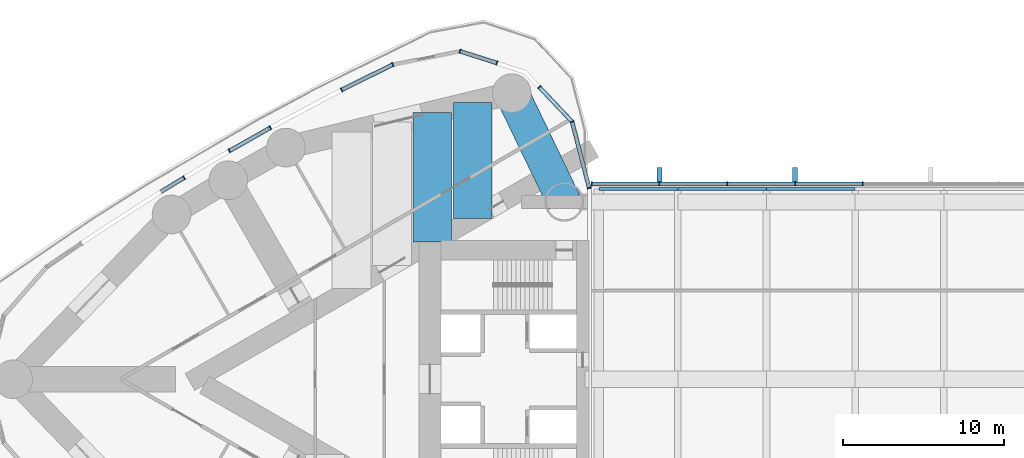
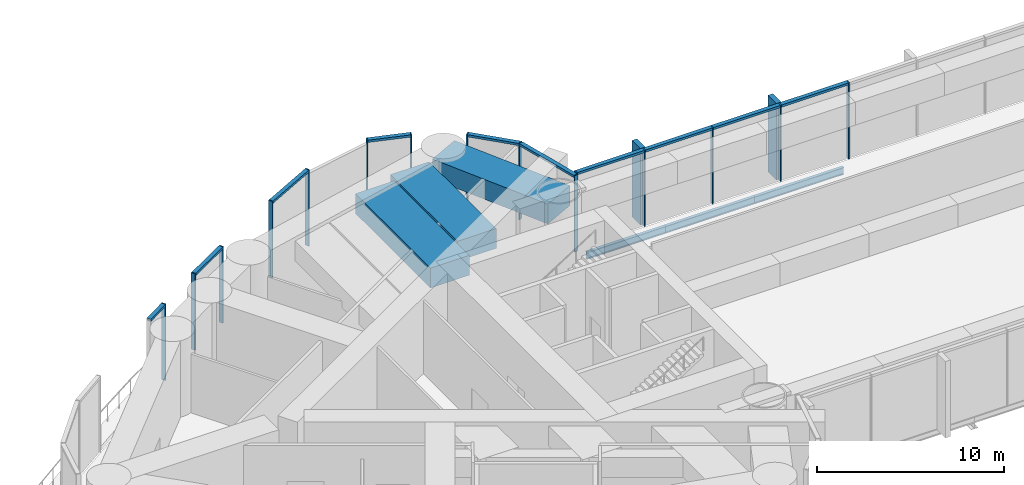
# One storey, part 5 of 22: 27 members, 6 beams, 6 elements without a shape of their own.
"""IFC4 building model written with IfcOpenShell, lengths in metres."""

from ifc_helpers import new_model, si_unit, direction, frame, origin, origin_2d, place, context, subcontext, project, spatial, rectangle, i_section, extrude, material, material_profile, profile_set, type_object, element, aggregate, save


model = new_model("IFC4")

# Units and contexts
model_context = context("Model", 3, precision=1e-05, world=origin(), true_north=direction((0.0, 1.0)))
body_context = subcontext(model_context, "Body", "Model", "MODEL_VIEW")
ifc_project = project(units=[si_unit("LENGTHUNIT", "METRE"), si_unit("AREAUNIT", "SQUARE_METRE"), si_unit("VOLUMEUNIT", "CUBIC_METRE"), si_unit("PLANEANGLEUNIT", "RADIAN"), si_unit("MASSUNIT", "GRAM", prefix="KILO")], contexts=[model_context])

# Site, building, storey
site_placement = place(None, origin())
site = spatial("IfcSite", under=ifc_project, at=site_placement, CompositionType="ELEMENT")
building_placement = place(site_placement, origin())
building = spatial("IfcBuilding", under=site, at=building_placement, Name="Lancet Gate Hotel", CompositionType="ELEMENT")
storey_placement = place(building_placement, frame((0.0, 0.0, 210.300048828125)))
storey = spatial("IfcBuildingStorey", under=building, at=storey_placement, Name="L56", CompositionType="ELEMENT", Elevation=210.300048828125)

# Curtain wall, members
ifc_material_1 = material(Name="Aluminium curtain wall", Category="aluminium")
curtain_wall_type = type_object("IfcCurtainWallType", Name="Refuge storey louvred curtain wall", PredefinedType="USERDEFINED", material=ifc_material_1)
curtain_wall_1_placement = place(storey_placement, origin())
curtain_wall_1 = element("IfcCurtainWall", 1, at=curtain_wall_1_placement, inside=storey, type_object=curtain_wall_type, Name="T1 L56 curtain wall 1", ObjectType="LANTERN GLAZING", PredefinedType="USERDEFINED")
ifc_material_2 = material(Name="Aluminium mullion", Category="aluminium")
ifc_material_profile_1 = material_profile(ifc_material_2, rectangle(XDim=0.06494140625, YDim=0.25, at=origin_2d()), Name="MULLION 65x250")
ifc_profile_set_1 = profile_set([ifc_material_profile_1], Name="Aluminium mullion")
member_type_1 = type_object("IfcMemberType", Name="Aluminium mullion 65x250", PredefinedType="MULLION", material=ifc_profile_set_1)
member_1_placement = place(storey_placement, frame((-27.5, 11.861572265625, 0.0), z_axis=(0.0, 0.0, 1.0), x_axis=(-0.249725827997, 0.968316586056, 0.0)))
member_1 = element("IfcMember", 2, at=member_1_placement, type_object=member_type_1, Name="T1 L56 curtain wall 1 mullion 1", PredefinedType="MULLION", context=body_context, shape_type="SweptSolid", body=[
    extrude(rectangle(XDim=0.06494140625, YDim=0.25, at=origin_2d()), origin(), (0.0, 0.0, 1.0), 5.0),
])
member_2_placement = place(storey_placement, frame((-28.56005859375, 15.97216796875, 0.0), z_axis=(0.0, 0.0, 1.0), x_axis=(-0.44287478238, 0.896583474715, 0.0)))
member_2 = element("IfcMember", 3, at=member_2_placement, type_object=member_type_1, Name="T1 L56 curtain wall 1 mullion 2", PredefinedType="MULLION", context=body_context, shape_type="SweptSolid", body=[
    extrude(rectangle(XDim=0.06494140625, YDim=0.25, at=origin_2d()), origin(), (0.0, 0.0, 1.0), 5.0),
])
member_3_placement = place(storey_placement, frame((-30.593017578125, 18.123291015625, 0.0), z_axis=(0.0, 0.0, 1.0), x_axis=(-0.686882887577, 0.726768118972, 0.0)))
member_3 = element("IfcMember", 4, at=member_3_placement, type_object=member_type_1, Name="T1 L56 curtain wall 1 mullion 3", PredefinedType="MULLION", context=body_context, shape_type="SweptSolid", body=[
    extrude(rectangle(XDim=0.06494140625, YDim=0.25, at=origin_2d()), origin(), (0.0, 0.0, 1.0), 5.0),
])

curtain_wall_2_placement = place(storey_placement, origin())
curtain_wall_2 = element("IfcCurtainWall", 5, at=curtain_wall_2_placement, inside=storey, type_object=curtain_wall_type, Name="T1 L56 curtain wall 2", ObjectType="LANTERN GLAZING", PredefinedType="USERDEFINED")
member_4_placement = place(storey_placement, frame((-33.222900390625, 19.61474609375, 0.0), z_axis=(0.0, 0.0, 1.0), x_axis=(-0.952695666833, 0.303925922549, 0.0)))
member_4 = element("IfcMember", 6, at=member_4_placement, type_object=member_type_1, Name="T1 L56 curtain wall 2 mullion 1", PredefinedType="MULLION", context=body_context, shape_type="SweptSolid", body=[
    extrude(rectangle(XDim=0.06494140625, YDim=0.25, at=origin_2d()), origin(), (0.0, 0.0, 1.0), 5.0),
])
member_5_placement = place(storey_placement, frame((-35.520751953125, 20.347900390625, 0.0), z_axis=(0.0, 0.0, 1.0), x_axis=(-0.952695666833, 0.303925922549, 0.0)))
member_5 = element("IfcMember", 7, at=member_5_placement, type_object=member_type_1, Name="T1 L56 curtain wall 2 mullion 2", PredefinedType="MULLION", context=body_context, shape_type="SweptSolid", body=[
    extrude(rectangle(XDim=0.06494140625, YDim=0.25, at=origin_2d()), origin(), (0.0, 0.0, 1.0), 5.0),
])

curtain_wall_3_placement = place(storey_placement, origin())
curtain_wall_3 = element("IfcCurtainWall", 8, at=curtain_wall_3_placement, inside=storey, type_object=curtain_wall_type, Name="T1 L56 curtain wall 3", ObjectType="LANTERN GLAZING", PredefinedType="USERDEFINED")
member_6_placement = place(storey_placement, frame((-39.684814453125, 19.521240234375, 0.0), z_axis=(0.0, 0.0, 1.0), x_axis=(-0.895234030262, -0.445596264639, 0.0)))
member_6 = element("IfcMember", 9, at=member_6_placement, type_object=member_type_1, Name="T1 L56 curtain wall 3 mullion 1", PredefinedType="MULLION", context=body_context, shape_type="SweptSolid", body=[
    extrude(rectangle(XDim=0.06494140625, YDim=0.25, at=origin_2d()), origin(), (0.0, 0.0, 1.0), 5.0),
])
member_7_placement = place(storey_placement, frame((-42.859619140625, 17.94091796875, 0.0), z_axis=(0.0, 0.0, 1.0), x_axis=(-0.895234030262, -0.445596264639, 0.0)))
member_7 = element("IfcMember", 10, at=member_7_placement, type_object=member_type_1, Name="T1 L56 curtain wall 3 mullion 2", PredefinedType="MULLION", context=body_context, shape_type="SweptSolid", body=[
    extrude(rectangle(XDim=0.06494140625, YDim=0.25, at=origin_2d()), origin(), (0.0, 0.0, 1.0), 5.0),
])

curtain_wall_4_placement = place(storey_placement, origin())
curtain_wall_4 = element("IfcCurtainWall", 11, at=curtain_wall_4_placement, inside=storey, type_object=curtain_wall_type, Name="T1 L56 curtain wall 4", ObjectType="LANTERN GLAZING", PredefinedType="USERDEFINED")
member_8_placement = place(storey_placement, frame((-47.27392578125, 15.6044921875, 0.0), z_axis=(0.0, 0.0, 1.0), x_axis=(-0.869958082404, -0.493125678565, 0.0)))
member_8 = element("IfcMember", 12, at=member_8_placement, type_object=member_type_1, Name="T1 L56 curtain wall 4 mullion 1", PredefinedType="MULLION", context=body_context, shape_type="SweptSolid", body=[
    extrude(rectangle(XDim=0.06494140625, YDim=0.25, at=origin_2d()), origin(), (0.0, 0.0, 1.0), 5.0),
])
member_9_placement = place(storey_placement, frame((-49.82421875, 14.158935546875, 0.0), z_axis=(0.0, 0.0, 1.0), x_axis=(-0.869958082404, -0.493125678565, 0.0)))
member_9 = element("IfcMember", 13, at=member_9_placement, type_object=member_type_1, Name="T1 L56 curtain wall 4 mullion 2", PredefinedType="MULLION", context=body_context, shape_type="SweptSolid", body=[
    extrude(rectangle(XDim=0.06494140625, YDim=0.25, at=origin_2d()), origin(), (0.0, 0.0, 1.0), 5.0),
])

# Curtain wall, member
curtain_wall_5_placement = place(storey_placement, origin())
curtain_wall_5 = element("IfcCurtainWall", 14, at=curtain_wall_5_placement, inside=storey, type_object=curtain_wall_type, Name="T1 L56 curtain wall 5", ObjectType="LANTERN GLAZING", PredefinedType="USERDEFINED")
member_10_placement = place(storey_placement, frame((-52.623291015625, 12.501708984375, 0.0), z_axis=(0.0, 0.0, 1.0), x_axis=(-0.85636984205, -0.516362947574, 0.0)))
member_10 = element("IfcMember", 15, at=member_10_placement, type_object=member_type_1, Name="T1 L56 curtain wall 5 mullion 1", PredefinedType="MULLION", context=body_context, shape_type="SweptSolid", body=[
    extrude(rectangle(XDim=0.06494140625, YDim=0.25, at=origin_2d()), origin(), (0.0, 0.0, 1.0), 5.0),
])

# Curtain wall, members
curtain_wall_6_placement = place(storey_placement, origin())
curtain_wall_6 = element("IfcCurtainWall", 16, at=curtain_wall_6_placement, inside=storey, type_object=curtain_wall_type, Name="Bridge block L56 curtain wall N", ObjectType="LANTERN GLAZING", PredefinedType="USERDEFINED")
member_11_placement = place(storey_placement, frame((-10.519287109375, 12.1201171875, 0.0), z_axis=(0.0, 0.0, 1.0), x_axis=(-1.0, 0.0, 0.0)))
member_11 = element("IfcMember", 17, at=member_11_placement, type_object=member_type_1, Name="Bridge block L56 curtain wall N mullion 10", PredefinedType="MULLION", context=body_context, shape_type="SweptSolid", body=[
    extrude(rectangle(XDim=0.06494140625, YDim=0.25, at=origin_2d()), origin(), (0.0, 0.0, 1.0), 5.0),
])
member_12_placement = place(storey_placement, frame((-14.726806640625, 12.1201171875, 0.0), z_axis=(0.0, 0.0, 1.0), x_axis=(-1.0, 0.0, 0.0)))
member_12 = element("IfcMember", 18, at=member_12_placement, type_object=member_type_1, Name="Bridge block L56 curtain wall N mullion 11", PredefinedType="MULLION", context=body_context, shape_type="SweptSolid", body=[
    extrude(rectangle(XDim=0.06494140625, YDim=0.25, at=origin_2d()), origin(), (0.0, 0.0, 1.0), 5.0),
])
member_13_placement = place(storey_placement, frame((-18.9345703125, 12.1201171875, 0.0), z_axis=(0.0, 0.0, 1.0), x_axis=(-1.0, 0.0, 0.0)))
member_13 = element("IfcMember", 19, at=member_13_placement, type_object=member_type_1, Name="Bridge block L56 curtain wall N mullion 12", PredefinedType="MULLION", context=body_context, shape_type="SweptSolid", body=[
    extrude(rectangle(XDim=0.06494140625, YDim=0.25, at=origin_2d()), origin(), (0.0, 0.0, 1.0), 5.0),
])
member_14_placement = place(storey_placement, frame((-23.142333984375, 12.1201171875, 0.0), z_axis=(0.0, 0.0, 1.0), x_axis=(-1.0, 0.0, 0.0)))
member_14 = element("IfcMember", 20, at=member_14_placement, type_object=member_type_1, Name="Bridge block L56 curtain wall N mullion 13", PredefinedType="MULLION", context=body_context, shape_type="SweptSolid", body=[
    extrude(rectangle(XDim=0.06494140625, YDim=0.25, at=origin_2d()), origin(), (0.0, 0.0, 1.0), 5.0),
])
member_15_placement = place(storey_placement, frame((-27.35009765625, 12.1201171875, 0.0), z_axis=(0.0, 0.0, 1.0), x_axis=(-1.0, 0.0, 0.0)))
member_15 = element("IfcMember", 21, at=member_15_placement, type_object=member_type_1, Name="Bridge block L56 curtain wall N mullion 14", PredefinedType="MULLION", context=body_context, shape_type="SweptSolid", body=[
    extrude(rectangle(XDim=0.06494140625, YDim=0.25, at=origin_2d()), origin(), (0.0, 0.0, 1.0), 5.0),
])

# Member
ifc_material_3 = material(Name="Aluminium transom", Category="aluminium")
ifc_material_profile_2 = material_profile(ifc_material_3, rectangle(XDim=0.25, YDim=0.14990234375, at=origin_2d()), Name="TRANSOM 250x150")
ifc_profile_set_2 = profile_set([ifc_material_profile_2], Name="Aluminium transom")
member_type_2 = type_object("IfcMemberType", Name="Aluminium transom 250x150", PredefinedType="USERDEFINED", material=ifc_profile_set_2)
member_16_placement = place(storey_placement, frame((-27.508056640625, 11.892822265625, 4.925048828125), z_axis=(-0.249715522936, 0.968319243641, 0.0), x_axis=(-0.968319243641, -0.249715522936, 0.0)))
member_16 = element("IfcMember", 22, at=member_16_placement, type_object=member_type_2, Name="T1 L56 curtain wall 1 transom 1", ObjectType="TRANSOM", PredefinedType="USERDEFINED", context=body_context, shape_type="SweptSolid", body=[
    extrude(rectangle(XDim=0.25, YDim=0.14990234375, at=origin_2d()), origin(), (0.0, 0.0, 1.0), 4.180419921875),
])

member_17_placement = place(storey_placement, frame((-28.58251953125, 15.995849609375, 4.925048828125), z_axis=(-0.686878579541, 0.726772190558, 0.0), x_axis=(-0.726772190558, -0.686878579541, 0.0)))
member_17 = element("IfcMember", 23, at=member_17_placement, type_object=member_type_2, Name="T1 L56 curtain wall 1 transom 2", ObjectType="TRANSOM", PredefinedType="USERDEFINED", context=body_context, shape_type="SweptSolid", body=[
    extrude(rectangle(XDim=0.25, YDim=0.14990234375, at=origin_2d()), origin(), (0.0, 0.0, 1.0), 2.894775390625),
])

aggregate(curtain_wall_1, [member_1, member_2, member_3, member_16, member_17])

member_18_placement = place(storey_placement, frame((-33.25390625, 19.624755859375, 4.925048828125), z_axis=(-0.952682287668, 0.303967858109, 0.0), x_axis=(-0.303967858109, -0.952682287668, 0.0)))
member_18 = element("IfcMember", 24, at=member_18_placement, type_object=member_type_2, Name="T1 L56 curtain wall 2 transom 1", ObjectType="TRANSOM", PredefinedType="USERDEFINED", context=body_context, shape_type="SweptSolid", body=[
    extrude(rectangle(XDim=0.25, YDim=0.14990234375, at=origin_2d()), origin(), (0.0, 0.0, 1.0), 2.346923828125),
])

aggregate(curtain_wall_2, [member_4, member_5, member_18])

member_19_placement = place(storey_placement, frame((-39.7138671875, 19.5068359375, 4.925048828125), z_axis=(-0.895239182605, -0.445585913072, 0.0), x_axis=(0.445585913072, -0.895239182605, 0.0)))
member_19 = element("IfcMember", 25, at=member_19_placement, type_object=member_type_2, Name="T1 L56 curtain wall 3 transom 1", ObjectType="TRANSOM", PredefinedType="USERDEFINED", context=body_context, shape_type="SweptSolid", body=[
    extrude(rectangle(XDim=0.25, YDim=0.14990234375, at=origin_2d()), origin(), (0.0, 0.0, 1.0), 3.4814453125),
])

aggregate(curtain_wall_3, [member_6, member_7, member_19])

member_20_placement = place(storey_placement, frame((-47.30224609375, 15.58837890625, 4.925048828125), z_axis=(-0.869946674154, -0.493145804127, 0.0), x_axis=(0.493145804127, -0.869946674154, 0.0)))
member_20 = element("IfcMember", 26, at=member_20_placement, type_object=member_type_2, Name="T1 L56 curtain wall 4 transom 1", ObjectType="TRANSOM", PredefinedType="USERDEFINED", context=body_context, shape_type="SweptSolid", body=[
    extrude(rectangle(XDim=0.25, YDim=0.14990234375, at=origin_2d()), origin(), (0.0, 0.0, 1.0), 2.866455078125),
])

aggregate(curtain_wall_4, [member_8, member_9, member_20])

member_21_placement = place(storey_placement, frame((-52.651123046875, 12.48486328125, 4.925048828125), z_axis=(-0.85641729295, -0.516284243743, 0.0), x_axis=(0.516284243743, -0.85641729295, 0.0)))
member_21 = element("IfcMember", 27, at=member_21_placement, type_object=member_type_2, Name="T1 L56 curtain wall 5 transom 1", ObjectType="TRANSOM", PredefinedType="USERDEFINED", context=body_context, shape_type="SweptSolid", body=[
    extrude(rectangle(XDim=0.25, YDim=0.14990234375, at=origin_2d()), origin(), (0.0, 0.0, 1.0), 1.60498046875),
])

aggregate(curtain_wall_5, [member_10, member_21])

member_22_placement = place(storey_placement, frame((-10.5517578125, 12.1201171875, 4.925048828125), z_axis=(-1.0, 0.0, 0.0), x_axis=(0.0, -1.0, 0.0)))
member_22 = element("IfcMember", 28, at=member_22_placement, type_object=member_type_2, Name="Bridge block L56 curtain wall N transom 10", ObjectType="TRANSOM", PredefinedType="USERDEFINED", context=body_context, shape_type="SweptSolid", body=[
    extrude(rectangle(XDim=0.25, YDim=0.14990234375, at=origin_2d()), origin(), (0.0, 0.0, 1.0), 4.142578125),
])

member_23_placement = place(storey_placement, frame((-14.759521484375, 12.1201171875, 4.925048828125), z_axis=(-1.0, 0.0, 0.0), x_axis=(0.0, -1.0, 0.0)))
member_23 = element("IfcMember", 29, at=member_23_placement, type_object=member_type_2, Name="Bridge block L56 curtain wall N transom 11", ObjectType="TRANSOM", PredefinedType="USERDEFINED", context=body_context, shape_type="SweptSolid", body=[
    extrude(rectangle(XDim=0.25, YDim=0.14990234375, at=origin_2d()), origin(), (0.0, 0.0, 1.0), 4.142578125),
])

member_24_placement = place(storey_placement, frame((-18.967041015625, 12.1201171875, 4.925048828125), z_axis=(-1.0, 0.0, 0.0), x_axis=(0.0, -1.0, 0.0)))
member_24 = element("IfcMember", 30, at=member_24_placement, type_object=member_type_2, Name="Bridge block L56 curtain wall N transom 12", ObjectType="TRANSOM", PredefinedType="USERDEFINED", context=body_context, shape_type="SweptSolid", body=[
    extrude(rectangle(XDim=0.25, YDim=0.14990234375, at=origin_2d()), origin(), (0.0, 0.0, 1.0), 4.142822265625),
])

member_25_placement = place(storey_placement, frame((-23.1748046875, 12.1201171875, 4.925048828125), z_axis=(-1.0, 0.0, 0.0), x_axis=(0.0, -1.0, 0.0)))
member_25 = element("IfcMember", 31, at=member_25_placement, type_object=member_type_2, Name="Bridge block L56 curtain wall N transom 13", ObjectType="TRANSOM", PredefinedType="USERDEFINED", context=body_context, shape_type="SweptSolid", body=[
    extrude(rectangle(XDim=0.25, YDim=0.14990234375, at=origin_2d()), origin(), (0.0, 0.0, 1.0), 4.142578125),
])

# Beams
ifc_material_4 = material(Name="Steel S355", Category="steel")
ifc_material_profile_3 = material_profile(ifc_material_4, i_section(OverallWidth=0.19140625, OverallDepth=0.4599609375, WebThickness=0.010009765625, FlangeThickness=0.01611328125, FilletRadius=0.01025390625, at=origin_2d()), Name="UKB 457x191x82")
ifc_profile_set_3 = profile_set([ifc_material_profile_3], Name="Steel S355")
beam_type_1 = type_object("IfcBeamType", Name="Block edge beam UKB 457x191x82", PredefinedType="SPANDREL", material=ifc_profile_set_3)
beam_1_placement = place(storey_placement, frame((-26.89990234375, 11.800048828125, -0.429931640625), z_axis=(1.0, 0.0, 0.0), x_axis=(0.0, 1.0, 0.0)))
element("IfcBeam", 32, at=beam_1_placement, inside=storey, type_object=beam_type_1, Name="Block edge beam N 0-1 L56", PredefinedType="SPANDREL", context=body_context, shape_type="SweptSolid", body=[
    extrude(i_section(OverallWidth=0.19140625, OverallDepth=0.4599609375, WebThickness=0.010009765625, FlangeThickness=0.01611328125, FilletRadius=0.01025390625, at=origin_2d()), origin(), (0.0, 0.0, 1.0), 4.89990234375),
])
for number, where, z_axis, x_axis, name in (
    (33, (-22.0, 11.800048828125, -0.429931640625), (1.0, 0.0, 0.0), (0.0, 1.0, 0.0), "Block edge beam N 1-2 L56"),
    (34, (-16.5, 11.800048828125, -0.429931640625), (1.0, 0.0, 0.0), (0.0, 1.0, 0.0), "Block edge beam N 2-3 L56"),
):
    element("IfcBeam", number, at=place(storey_placement, frame(where, z_axis=z_axis, x_axis=x_axis)), inside=storey, type_object=beam_type_1, Name=name, PredefinedType="SPANDREL", context=body_context, shape_type="SweptSolid", body=[
        extrude(i_section(OverallWidth=0.19140625, OverallDepth=0.4599609375, WebThickness=0.010009765625, FlangeThickness=0.01611328125, FilletRadius=0.01025390625, at=origin_2d()), origin(), (0.0, 0.0, 1.0), 5.5),
    ])
ifc_material_5 = material(Name="Concrete C50/60", Category="concrete")
ifc_material_profile_4 = material_profile(ifc_material_5, rectangle(XDim=2.10009765625, YDim=1.300048828125, at=origin_2d()), Name="RC 2100x1300")
ifc_profile_set_4 = profile_set([ifc_material_profile_4], Name="Concrete C50/60")
beam_type_2 = type_object("IfcBeamType", Name="Edge beam RC 2100x1300", PredefinedType="SPANDREL", material=ifc_profile_set_4)
beam_2_placement = place(storey_placement, frame((-32.301025390625, 17.745361328125, 4.099853515625), z_axis=(0.434163599361, -0.900834040759, 0.0), x_axis=(0.900834040759, 0.434163599361, 0.0)))
element("IfcBeam", 35, at=beam_2_placement, inside=storey, type_object=beam_type_2, Name="T1 edge beam EB1 L56", PredefinedType="SPANDREL", context=body_context, shape_type="SweptSolid", body=[
    extrude(rectangle(XDim=2.10009765625, YDim=1.300048828125, at=origin_2d()), origin(), (0.0, 0.0, 1.0), 7.48779296875),
])

# Member
ifc_material_6 = material(Name="Precast concrete C50/60", Category="concrete")
ifc_material_profile_5 = material_profile(ifc_material_6, rectangle(XDim=0.300048828125, YDim=0.89990234375, at=origin_2d()), Name="FIN 300x900")
ifc_profile_set_5 = profile_set([ifc_material_profile_5], Name="Precast concrete C50/60")
member_type_3 = type_object("IfcMemberType", Name="Exposed concrete fin 300x900", PredefinedType="USERDEFINED", material=ifc_profile_set_5)
member_26_placement = place(storey_placement, frame((-14.726806640625, 12.695068359375, 0.0), z_axis=(0.0, 0.0, 1.0), x_axis=(-1.0, 0.0, 0.0)))
member_26 = element("IfcMember", 36, at=member_26_placement, type_object=member_type_3, Name="Bridge block L56 curtain wall N fin 11", ObjectType="FIN", PredefinedType="USERDEFINED", context=body_context, shape_type="SweptSolid", body=[
    extrude(rectangle(XDim=0.300048828125, YDim=0.89990234375, at=origin_2d()), origin(), (0.0, 0.0, 1.0), 5.0),
])

member_27_placement = place(storey_placement, frame((-23.142333984375, 12.695068359375, 0.0), z_axis=(0.0, 0.0, 1.0), x_axis=(-1.0, 0.0, 0.0)))
member_27 = element("IfcMember", 37, at=member_27_placement, type_object=member_type_3, Name="Bridge block L56 curtain wall N fin 13", ObjectType="FIN", PredefinedType="USERDEFINED", context=body_context, shape_type="SweptSolid", body=[
    extrude(rectangle(XDim=0.300048828125, YDim=0.89990234375, at=origin_2d()), origin(), (0.0, 0.0, 1.0), 5.0),
])

aggregate(curtain_wall_6, [member_11, member_12, member_26, member_13, member_14, member_27, member_15, member_22, member_23, member_24, member_25])

# Beams
ifc_material_7 = material(Name="Concrete C50/60", Category="concrete")
ifc_material_profile_6 = material_profile(ifc_material_7, rectangle(XDim=2.39990234375, YDim=1.300048828125, at=origin_2d()), Name="RC 2400x1300")
ifc_profile_set_6 = profile_set([ifc_material_profile_6], Name="Concrete C50/60")
beam_type_3 = type_object("IfcBeamType", Name="Floor beam RC 2400x1300", PredefinedType="BEAM", material=ifc_profile_set_6)
beam_3_placement = place(storey_placement, frame((-34.720458984375, 17.161865234375, 4.099853515625), z_axis=(0.0, -1.0, 0.0), x_axis=(1.0, 0.0, 0.0)))
element("IfcBeam", 38, at=beam_3_placement, inside=storey, type_object=beam_type_3, Name="T1 floor beam F02S L56", PredefinedType="BEAM", context=body_context, shape_type="SweptSolid", body=[
    extrude(rectangle(XDim=2.39990234375, YDim=1.300048828125, at=origin_2d()), origin(), (0.0, 0.0, 1.0), 7.203857421875),
])
beam_4_placement = place(storey_placement, frame((-37.227294921875, 16.557373046875, 4.099853515625), z_axis=(0.0, -1.0, 0.0), x_axis=(1.0, 0.0, 0.0)))
element("IfcBeam", 39, at=beam_4_placement, inside=storey, type_object=beam_type_3, Name="T1 floor beam F03S L56", PredefinedType="BEAM", context=body_context, shape_type="SweptSolid", body=[
    extrude(rectangle(XDim=2.39990234375, YDim=1.300048828125, at=origin_2d()), origin(), (0.0, 0.0, 1.0), 8.046630859375),
])

save(model, "model.ifc")
